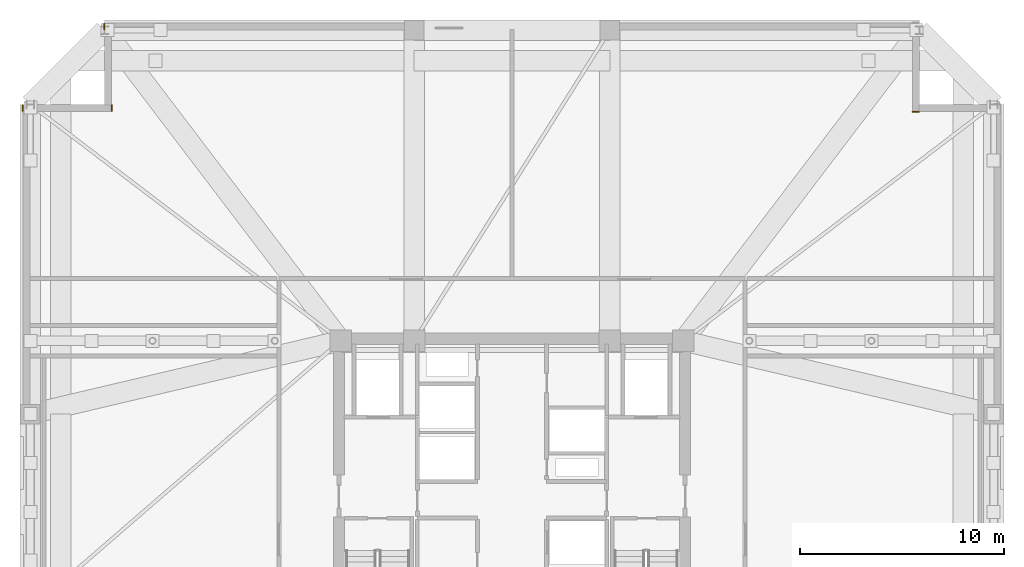
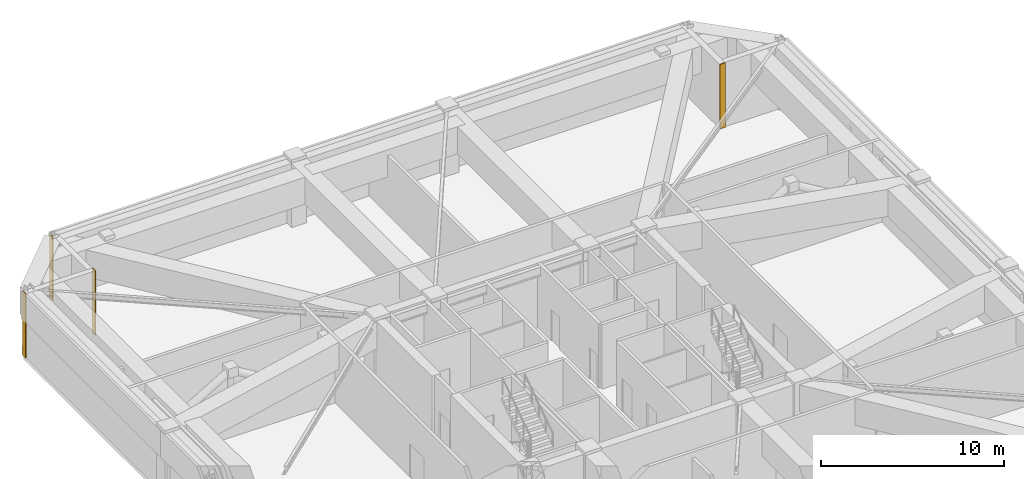
# One storey, part 12 of 13: 4 coverings.
"""IFC4 building model written with IfcOpenShell, lengths in metres."""

from ifc_helpers import new_model, si_unit, direction, frame, frame_2d, origin, place, context, subcontext, project, spatial, rectangle, extrude, material, layer, layer_set, type_object, element, save


model = new_model("IFC4")

# Units and contexts
model_context = context("Model", 3, precision=1e-05, world=origin(), true_north=direction((0.0, 1.0)))
body_context = subcontext(model_context, "Body", "Model", "MODEL_VIEW")
ifc_project = project(units=[si_unit("LENGTHUNIT", "METRE"), si_unit("AREAUNIT", "SQUARE_METRE"), si_unit("VOLUMEUNIT", "CUBIC_METRE"), si_unit("PLANEANGLEUNIT", "RADIAN"), si_unit("MASSUNIT", "GRAM", prefix="KILO")], contexts=[model_context])

# Site, building, storey
site_placement = place(None, origin())
site = spatial("IfcSite", under=ifc_project, at=site_placement, CompositionType="ELEMENT")
building_placement = place(site_placement, origin())
building = spatial("IfcBuilding", under=site, at=building_placement, Name="Cairnveth Concourse Tower", CompositionType="ELEMENT")
storey_placement = place(building_placement, frame((0.0, 0.0, 193.5)))
storey = spatial("IfcBuildingStorey", under=building, at=storey_placement, Name="L53", CompositionType="ELEMENT", Elevation=193.5)

# Coverings
ifc_material = material(Name="Dressed Melbourne Bluestone Cladding", Category="masonry")
ifc_layer = layer(ifc_material, 0.050048828125)
ifc_layer_set = layer_set([ifc_layer], Name="Dressed Melbourne Bluestone Cladding")
covering_type = type_object("IfcCoveringType", Name="DRESSED BLUESTONE PLINTH CLADDING 50", PredefinedType="CLADDING", material=ifc_layer_set)
for number, where, z_axis, x_axis, name in (
    (1, (27.97998046875, 58.659912109375, 0.0), (0.0, 0.0, 1.0), (0.0, 1.0, 0.0), "Melbourne Bluestone Corner Quoin L53-790"),
    (2, (32.360107421875, 58.659912109375, 0.0), (0.0, 0.0, 1.0), (0.0, 1.0, 0.0), "Melbourne Bluestone Corner Quoin L53-791"),
    (3, (31.97998046875, 62.659912109375, 0.0), (0.0, 0.0, 1.0), (0.0, 1.0, 0.0), "Melbourne Bluestone Corner Quoin L53-792"),
    (4, (71.659912109375, 58.639892578125, 0.0), (0.0, 0.0, 1.0), (1.0, 0.0, 0.0), "Melbourne Bluestone Corner Quoin L53-794"),
):
    element("IfcCovering", number, at=place(storey_placement, frame(where, z_axis=z_axis, x_axis=x_axis)), inside=storey, type_object=covering_type, Name=name, PredefinedType="CLADDING", context=body_context, shape_type="SweptSolid", body=[
        extrude(rectangle(XDim=0.340087890625, YDim=0.050048828125, at=frame_2d((0.169921875, 0.0))), origin(), (0.0, 0.0, 1.0), 4.2900390625),
    ])

save(model, "model.ifc")
